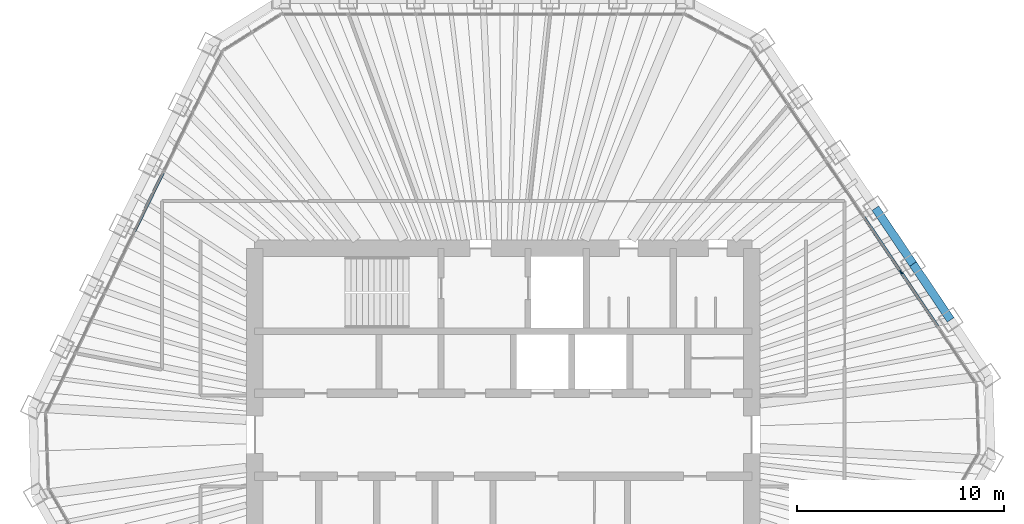
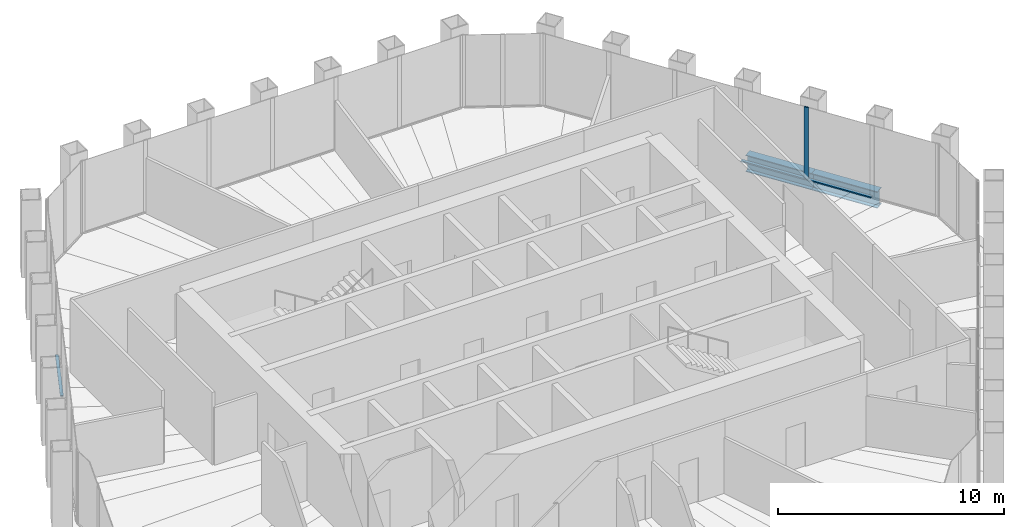
# One storey, part 6 of 14: 4 members, 2 beams, 2 elements without a shape of their own.
"""IFC4 building model written with IfcOpenShell, lengths in metres."""

from ifc_helpers import new_model, si_unit, direction, frame, origin, origin_2d, place, context, subcontext, project, spatial, rectangle, i_section, extrude, material, material_profile, profile_set, type_object, element, aggregate, save


model = new_model("IFC4")

# Units and contexts
model_context = context("Model", 3, precision=1e-05, world=origin(), true_north=direction((0.0, 1.0)))
body_context = subcontext(model_context, "Body", "Model", "MODEL_VIEW")
ifc_project = project(units=[si_unit("LENGTHUNIT", "METRE"), si_unit("AREAUNIT", "SQUARE_METRE"), si_unit("VOLUMEUNIT", "CUBIC_METRE"), si_unit("PLANEANGLEUNIT", "RADIAN"), si_unit("MASSUNIT", "GRAM", prefix="KILO")], contexts=[model_context])

# Site, building, storey
site_placement = place(None, origin())
site = spatial("IfcSite", under=ifc_project, at=site_placement, CompositionType="ELEMENT")
building_placement = place(site_placement, origin())
building = spatial("IfcBuilding", under=site, at=building_placement, Name="Qingtian Harvest Tower", CompositionType="ELEMENT")
storey_placement = place(building_placement, frame((0.0, 0.0, 333.39990234375)))
storey = spatial("IfcBuildingStorey", under=building, at=storey_placement, Name="L74", CompositionType="ELEMENT", Elevation=333.39990234375)

# Curtain wall, member
ifc_material_1 = material(Name="Bronze-anodised aluminium curtain wall", Category="aluminium")
curtain_wall_type = type_object("IfcCurtainWallType", Name="Curtain wall CW6 executive floors", PredefinedType="USERDEFINED", material=ifc_material_1)
curtain_wall_1_placement = place(storey_placement, origin())
curtain_wall_1 = element("IfcCurtainWall", 1, at=curtain_wall_1_placement, inside=storey, type_object=curtain_wall_type, Name="Curtain wall CW6 L74 NE0-5", ObjectType="RECESSED CURTAIN WALL", PredefinedType="USERDEFINED")
ifc_material_2 = material(Name="Bronze-anodised aluminium mullion", Category="aluminium")
ifc_material_profile_1 = material_profile(ifc_material_2, rectangle(XDim=0.06494140625, YDim=0.199951171875, at=origin_2d()), Name="AL 65x200")
ifc_profile_set_1 = profile_set([ifc_material_profile_1], Name="Bronze-anodised aluminium mullion")
member_type_1 = type_object("IfcMemberType", Name="Mullion CWM 65x200", PredefinedType="MULLION", material=ifc_profile_set_1)
member_1_placement = place(storey_placement, frame((19.192626953125, 7.847900390625, 0.0), z_axis=(0.0, 0.0, 1.0), x_axis=(0.829037572555, 0.559192903471, 0.0)))
member_1 = element("IfcMember", 2, at=member_1_placement, type_object=member_type_1, Name="CW6 mullion 5", PredefinedType="MULLION", context=body_context, shape_type="SweptSolid", body=[
    extrude(rectangle(XDim=0.06494140625, YDim=0.199951171875, at=origin_2d()), origin(), (0.0, 0.0, 1.0), 3.920166015625),
])

# Beams
ifc_material_3 = material(Name="Steel SN490B", Category="steel")
ifc_material_profile_2 = material_profile(ifc_material_3, i_section(OverallWidth=0.39990234375, OverallDepth=0.89990234375, WebThickness=0.01904296875, FlangeThickness=0.035888671875, at=origin_2d()), Name="H900x400x19x36")
ifc_profile_set_2 = profile_set([ifc_material_profile_2], Name="Steel SN490B")
beam_type = type_object("IfcBeamType", Name="Spandrel beam SB4 H900x400x19x36", PredefinedType="SPANDREL", material=ifc_profile_set_2)
for number, where, z_axis, x_axis, name in (
    (3, (17.956787109375, 10.93212890625, -0.449951171875), (0.55915007887, -0.829066456504, 0.0), (0.829066456504, 0.55915007887, 0.0), "Spandrel SB4 NE3"),
    (4, (19.77294921875, 8.2392578125, -0.449951171875), (0.5592365864, -0.829008106372, 0.0), (0.829008106372, 0.5592365864, 0.0), "Spandrel SB4 NE4"),
):
    element("IfcBeam", number, at=place(storey_placement, frame(where, z_axis=z_axis, x_axis=x_axis)), inside=storey, type_object=beam_type, Name=name, PredefinedType="SPANDREL", context=body_context, shape_type="SweptSolid", body=[
        extrude(i_section(OverallWidth=0.39990234375, OverallDepth=0.89990234375, WebThickness=0.01904296875, FlangeThickness=0.035888671875, at=origin_2d()), origin(), (0.0, 0.0, 1.0), 3.248046875),
    ])

# Member
ifc_material_4 = material(Name="Bronze-anodised aluminium transom", Category="aluminium")
ifc_material_profile_3 = material_profile(ifc_material_4, rectangle(XDim=0.14990234375, YDim=0.06494140625, at=origin_2d()), Name="AL 65x150")
ifc_profile_set_3 = profile_set([ifc_material_profile_3], Name="Bronze-anodised aluminium transom")
member_type_2 = type_object("IfcMemberType", Name="Transom CWT 65x150", PredefinedType="USERDEFINED", material=ifc_profile_set_3)
member_2_placement = place(storey_placement, frame((17.39453125, 10.513671875, 0.03271484375), z_axis=(0.55920542009, -0.829029129852, 0.0), x_axis=(0.829029129852, 0.55920542009, 0.0)))
member_2 = element("IfcMember", 5, at=member_2_placement, type_object=member_type_2, Name="CW6 transom 4.1", ObjectType="TRANSOM", PredefinedType="USERDEFINED", context=body_context, shape_type="SweptSolid", body=[
    extrude(rectangle(XDim=0.14990234375, YDim=0.06494140625, at=origin_2d()), origin(), (0.0, 0.0, 1.0), 3.18310546875),
])

member_3_placement = place(storey_placement, frame((19.2109375, 7.821044921875, 0.03271484375), z_axis=(0.559152702955, -0.829064686727, 0.0), x_axis=(0.829064686727, 0.559152702955, 0.0)))
member_3 = element("IfcMember", 6, at=member_3_placement, type_object=member_type_2, Name="CW6 transom 5.1", ObjectType="TRANSOM", PredefinedType="USERDEFINED", context=body_context, shape_type="SweptSolid", body=[
    extrude(rectangle(XDim=0.14990234375, YDim=0.06494140625, at=origin_2d()), origin(), (0.0, 0.0, 1.0), 3.18310546875),
])

aggregate(curtain_wall_1, [member_1, member_2, member_3])

# Curtain wall, member
curtain_wall_2_placement = place(storey_placement, origin())
curtain_wall_2 = element("IfcCurtainWall", 7, at=curtain_wall_2_placement, inside=storey, type_object=curtain_wall_type, Name="Curtain wall CW6 L74 NW0-5", ObjectType="RECESSED CURTAIN WALL", PredefinedType="USERDEFINED")
member_4_placement = place(storey_placement, frame((-17.802490234375, 9.807373046875, 0.03271484375), z_axis=(0.438355626738, 0.898801615768, 0.0), x_axis=(-0.898801615768, 0.438355626738, 0.0)))
member_4 = element("IfcMember", 8, at=member_4_placement, type_object=member_type_2, Name="CW6 transom 4.1", ObjectType="TRANSOM", PredefinedType="USERDEFINED", context=body_context, shape_type="SweptSolid", body=[
    extrude(rectangle(XDim=0.14990234375, YDim=0.06494140625, at=origin_2d()), origin(), (0.0, 0.0, 1.0), 3.182861328125),
])
aggregate(curtain_wall_2, [member_4])

save(model, "model.ifc")
